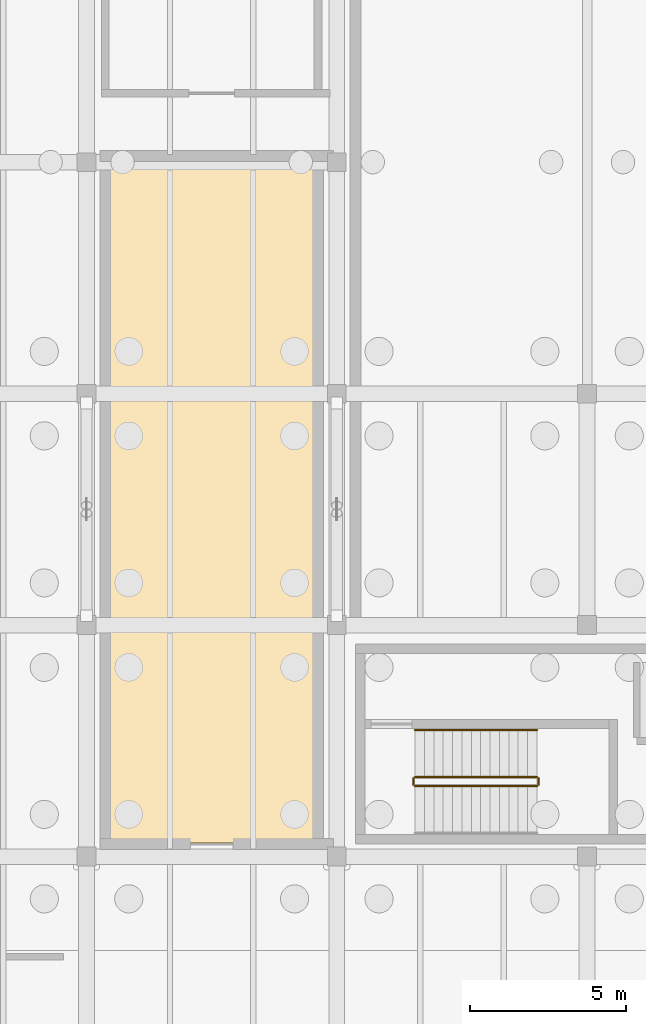
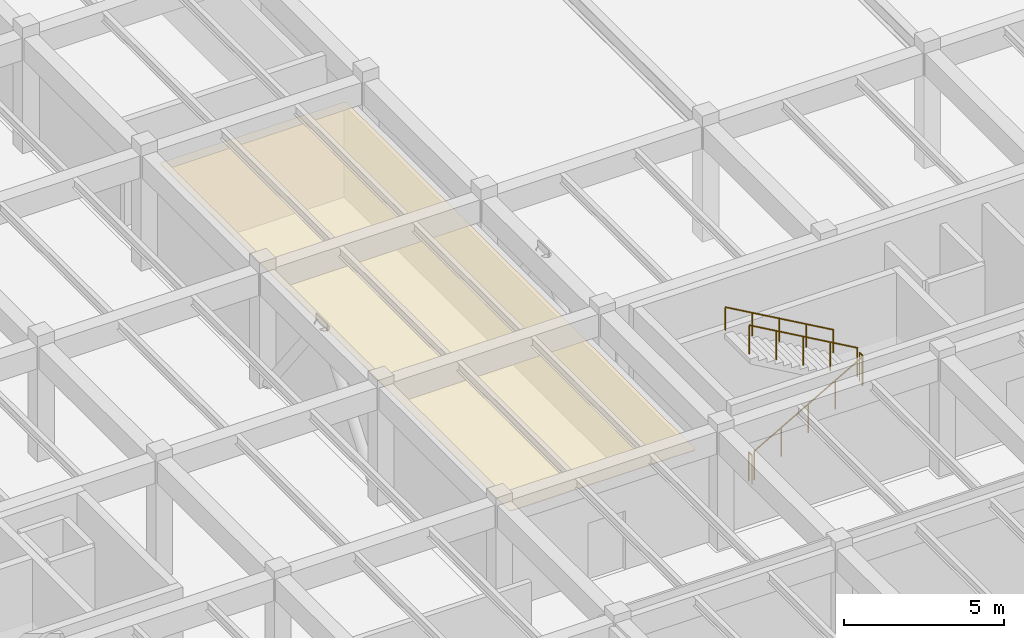
# One storey, part 37 of 40: 5 railings, 1 covering.
"""IFC4 building model written with IfcOpenShell, lengths in metres."""

from ifc_helpers import new_model, si_unit, direction, frame, origin, origin_2d, place, context, subcontext, project, spatial, polyline, circle, outline, extrude, material, layer, layer_set, type_object, element, save


model = new_model("IFC4")

# Units and contexts
model_context = context("Model", 3, precision=1e-05, world=origin(), true_north=direction((0.0, 1.0)))
body_context = subcontext(model_context, "Body", "Model", "MODEL_VIEW")
ifc_project = project(units=[si_unit("LENGTHUNIT", "METRE"), si_unit("AREAUNIT", "SQUARE_METRE"), si_unit("VOLUMEUNIT", "CUBIC_METRE"), si_unit("PLANEANGLEUNIT", "RADIAN"), si_unit("MASSUNIT", "GRAM", prefix="KILO")], contexts=[model_context])

# Site, building, storey
site_placement = place(None, origin())
site = spatial("IfcSite", under=ifc_project, at=site_placement, CompositionType="ELEMENT")
building_placement = place(site_placement, origin())
building = spatial("IfcBuilding", under=site, at=building_placement, Name="Valkorina Park Police Headquarters", CompositionType="ELEMENT")
storey_placement = place(building_placement, frame((0.0, 0.0, -4.800048828125)))
storey = spatial("IfcBuildingStorey", under=building, at=storey_placement, Name="B01", CompositionType="ELEMENT", Elevation=-4.800048828125)

# Covering
ifc_material_1 = material(Name="Acoustic mineral board")
ifc_layer = layer(ifc_material_1, 0.02490234375)
ifc_layer_set = layer_set([ifc_layer], Name="Acoustic mineral board")
covering_type = type_object("IfcCoveringType", Name="COV-CEILING-ACOUST", PredefinedType="CEILING", material=ifc_layer_set)
covering_placement = place(storey_placement, frame((0.0, 0.0, 3.505126953125)))
element("IfcCovering", 1, at=covering_placement, inside=storey, type_object=covering_type, Name="Range Control and Sound Lock Room Acoustic Suspended Ceiling", PredefinedType="CEILING", context=body_context, shape_type="SweptSolid", body=[
    extrude(outline(polyline([(112.158447265625, 67.1044921875), (112.15966796875, 67.1123046875), (112.159912109375, 67.1201171875), (112.159912109375, 88.8798828125), (112.15966796875, 88.8876953125), (112.158447265625, 88.8955078125), (112.156494140625, 88.9033203125), (112.15380859375, 88.91064453125), (112.150634765625, 88.917724609375), (112.146484375, 88.92431640625), (112.141845703125, 88.930908203125), (112.13671875, 88.9365234375), (112.130859375, 88.94189453125), (112.12451171875, 88.946533203125), (112.11767578125, 88.95068359375), (112.110595703125, 88.953857421875), (112.103271484375, 88.95654296875), (112.095703125, 88.95849609375), (112.087890625, 88.959716796875), (112.080078125, 88.9599609375), (105.52001953125, 88.9599609375), (105.51220703125, 88.959716796875), (105.50439453125, 88.95849609375), (105.496826171875, 88.95654296875), (105.489501953125, 88.953857421875), (105.482421875, 88.95068359375), (105.4755859375, 88.946533203125), (105.46923828125, 88.94189453125), (105.46337890625, 88.9365234375), (105.458251953125, 88.930908203125), (105.45361328125, 88.92431640625), (105.449462890625, 88.917724609375), (105.446044921875, 88.91064453125), (105.443359375, 88.9033203125), (105.44140625, 88.8955078125), (105.4404296875, 88.8876953125), (105.43994140625, 88.8798828125), (105.43994140625, 67.1201171875), (105.4404296875, 67.1123046875), (105.44140625, 67.1044921875), (105.443359375, 67.0966796875), (105.446044921875, 67.08935546875), (105.449462890625, 67.082275390625), (105.45361328125, 67.07568359375), (105.458251953125, 67.069091796875), (105.46337890625, 67.0634765625), (105.46923828125, 67.05810546875), (105.4755859375, 67.053466796875), (105.482421875, 67.04931640625), (105.489501953125, 67.046142578125), (105.496826171875, 67.04345703125), (105.50439453125, 67.04150390625), (105.51220703125, 67.040283203125), (105.52001953125, 67.0400390625), (112.080078125, 67.0400390625), (112.087890625, 67.040283203125), (112.095703125, 67.04150390625), (112.103271484375, 67.04345703125), (112.110595703125, 67.046142578125), (112.11767578125, 67.04931640625), (112.12451171875, 67.053466796875), (112.130859375, 67.05810546875), (112.13671875, 67.0634765625), (112.141845703125, 67.069091796875), (112.146484375, 67.07568359375), (112.150634765625, 67.082275390625), (112.15380859375, 67.08935546875), (112.156494140625, 67.0966796875), (112.158447265625, 67.1044921875)])), origin(), (0.0, 0.0, 1.0), 0.02490234375),
])

# Railings
ifc_material_2 = material(Name="Stainless steel EN 1.4404", Category="steel")
railing_type_1 = type_object("IfcRailingType", Name="RL-GUARD-INT-1100", PredefinedType="BALUSTRADE", material=ifc_material_2)
railing_1_placement = place(storey_placement, frame((115.300048828125, 68.85009765625, 0.17138671875)))
element("IfcRailing", 2, at=railing_1_placement, inside=storey, type_object=railing_type_1, Name="B01 Core C5 Stair Guard 1", PredefinedType="BALUSTRADE", context=body_context, shape_type="SweptSolid", body=[
    extrude(circle(Radius=0.02392578125, at=origin_2d()), frame((0.0, 0.0, 1.09619140625), z_axis=(0.868219727965, 0.0, 0.496179910892), x_axis=(0.0, 1.0, 0.0)), (0.0, 0.0, 1.0), 4.491943359375),
    extrude(circle(Radius=0.02099609375, at=origin_2d()), origin(), (0.0, 0.0, 1.0), 1.072021484375),
    extrude(circle(Radius=0.02099609375, at=origin_2d()), frame((0.97509765625, 0.0, 0.55712890625)), (0.0, 0.0, 1.0), 1.072021484375),
    extrude(circle(Radius=0.02099609375, at=origin_2d()), frame((1.949951171875, 0.0, 1.1142578125)), (0.0, 0.0, 1.0), 1.072021484375),
    extrude(circle(Radius=0.02099609375, at=origin_2d()), frame((2.9248046875, 0.0, 1.671630859375)), (0.0, 0.0, 1.0), 1.072021484375),
    extrude(circle(Radius=0.02099609375, at=origin_2d()), frame((3.89990234375, 0.0, 2.228759765625)), (0.0, 0.0, 1.0), 1.072021484375),
])
railing_2_placement = place(storey_placement, frame((119.25, 68.89990234375, 2.400146484375)))
element("IfcRailing", 3, at=railing_2_placement, inside=storey, type_object=railing_type_1, Name="B01 Core C5 Stair Guard 2", PredefinedType="BALUSTRADE", context=body_context, shape_type="SweptSolid", body=[
    extrude(circle(Radius=0.02392578125, at=origin_2d()), frame((0.0, 0.0, 1.09619140625), z_axis=(0.0, 1.0, 0.0), x_axis=(-1.0, 0.0, 0.0)), (0.0, 0.0, 1.0), 0.2001953125),
    extrude(circle(Radius=0.02099609375, at=origin_2d()), origin(), (0.0, 0.0, 1.0), 1.072021484375),
    extrude(circle(Radius=0.02099609375, at=origin_2d()), frame((0.0, 0.2001953125, 0.0)), (0.0, 0.0, 1.0), 1.072021484375),
])
railing_3_placement = place(storey_placement, frame((119.199951171875, 69.14990234375, 2.571533203125)))
element("IfcRailing", 4, at=railing_3_placement, inside=storey, type_object=railing_type_1, Name="B01 Core C5 Stair Guard 3", PredefinedType="BALUSTRADE", context=body_context, shape_type="SweptSolid", body=[
    extrude(circle(Radius=0.02392578125, at=origin_2d()), frame((0.0, 0.0, 1.09619140625), z_axis=(-0.868243142124, 0.0, 0.496138938357), x_axis=(0.0, -1.0, 0.0)), (0.0, 0.0, 1.0), 4.49169921875),
    extrude(circle(Radius=0.02099609375, at=origin_2d()), origin(), (0.0, 0.0, 1.0), 1.072021484375),
    extrude(circle(Radius=0.02099609375, at=origin_2d()), frame((-0.97509765625, 0.0, 0.55712890625)), (0.0, 0.0, 1.0), 1.072021484375),
    extrude(circle(Radius=0.02099609375, at=origin_2d()), frame((-1.949951171875, 0.0, 1.1142578125)), (0.0, 0.0, 1.0), 1.072021484375),
    extrude(circle(Radius=0.02099609375, at=origin_2d()), frame((-2.9248046875, 0.0, 1.67138671875)), (0.0, 0.0, 1.0), 1.072021484375),
    extrude(circle(Radius=0.02099609375, at=origin_2d()), frame((-3.89990234375, 0.0, 2.228515625)), (0.0, 0.0, 1.0), 1.072021484375),
])
railing_4_placement = place(storey_placement, frame((115.25, 68.89990234375, 0.0)))
element("IfcRailing", 5, at=railing_4_placement, inside=storey, type_object=railing_type_1, Name="B01 Core C5 Stair Guard 4", PredefinedType="BALUSTRADE", context=body_context, shape_type="SweptSolid", body=[
    extrude(circle(Radius=0.02392578125, at=origin_2d()), frame((0.0, 0.0, 1.09619140625), z_axis=(0.0, 1.0, 0.0), x_axis=(-1.0, 0.0, 0.0)), (0.0, 0.0, 1.0), 0.2001953125),
    extrude(circle(Radius=0.02099609375, at=origin_2d()), origin(), (0.0, 0.0, 1.0), 1.072021484375),
    extrude(circle(Radius=0.02099609375, at=origin_2d()), frame((0.0, 0.2001953125, 0.0)), (0.0, 0.0, 1.0), 1.072021484375),
])
railing_type_2 = type_object("IfcRailingType", Name="RL-HANDRAIL-900", PredefinedType="HANDRAIL", material=ifc_material_2)
railing_5_placement = place(storey_placement, frame((119.199951171875, 70.64990234375, 2.571533203125)))
element("IfcRailing", 6, at=railing_5_placement, inside=storey, type_object=railing_type_2, Name="B01 Core C5 Stair Handrail 2", PredefinedType="HANDRAIL", context=body_context, shape_type="SweptSolid", body=[
    extrude(circle(Radius=0.02392578125, at=origin_2d()), frame((0.0, 0.0, 0.8759765625), z_axis=(-0.868243142124, 0.0, 0.496138938357), x_axis=(0.0, -1.0, 0.0)), (0.0, 0.0, 1.0), 4.49169921875),
    extrude(circle(Radius=0.02099609375, at=origin_2d()), origin(), (0.0, 0.0, 1.0), 0.851806640625),
    extrude(circle(Radius=0.02099609375, at=origin_2d()), frame((-0.97509765625, 0.0, 0.55712890625)), (0.0, 0.0, 1.0), 0.851806640625),
    extrude(circle(Radius=0.02099609375, at=origin_2d()), frame((-1.949951171875, 0.0, 1.1142578125)), (0.0, 0.0, 1.0), 0.851806640625),
    extrude(circle(Radius=0.02099609375, at=origin_2d()), frame((-2.9248046875, 0.0, 1.67138671875)), (0.0, 0.0, 1.0), 0.851806640625),
    extrude(circle(Radius=0.02099609375, at=origin_2d()), frame((-3.89990234375, 0.0, 2.228515625)), (0.0, 0.0, 1.0), 0.851806640625),
])

save(model, "model.ifc")
